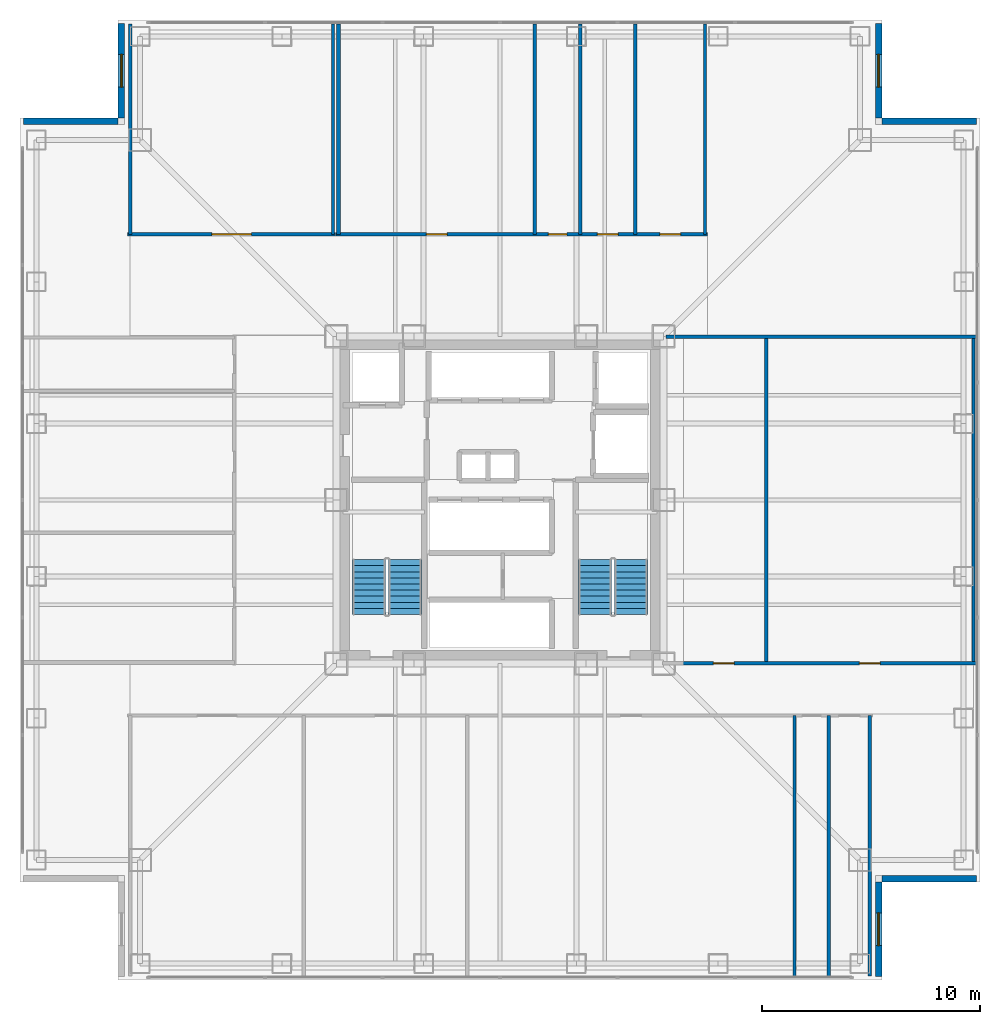
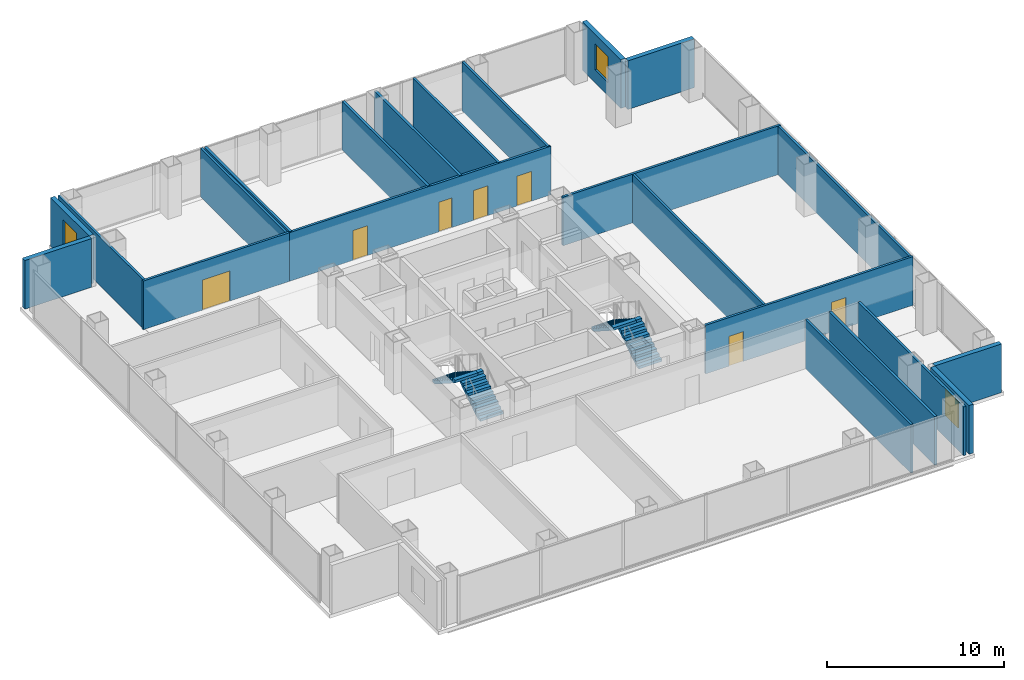
# One storey, part 11 of 14: 22 walls, 7 doors, 4 stair flights, 3 windows, 10 openings, 2 elements without a shape of their own.
"""IFC4 building model written with IfcOpenShell, lengths in metres."""

from ifc_helpers import new_model, si_unit, direction, frame, frame_2d, origin, place, context, subcontext, project, spatial, polyline, rectangle, outline, extrude, material, layer, layer_set, type_object, element, fill, aggregate, save


model = new_model("IFC4")

# Units and contexts
model_context = context("Model", 3, precision=1e-05, world=origin(), true_north=direction((0.0, 1.0)))
body_context = subcontext(model_context, "Body", "Model", "MODEL_VIEW")
ifc_project = project(units=[si_unit("LENGTHUNIT", "METRE"), si_unit("AREAUNIT", "SQUARE_METRE"), si_unit("VOLUMEUNIT", "CUBIC_METRE"), si_unit("PLANEANGLEUNIT", "RADIAN"), si_unit("MASSUNIT", "GRAM", prefix="KILO")], contexts=[model_context])

# Site, building, storey
site_placement = place(None, origin())
site = spatial("IfcSite", under=ifc_project, at=site_placement, CompositionType="ELEMENT")
building_placement = place(site_placement, origin())
building = spatial("IfcBuilding", under=site, at=building_placement, Name="Trevonay Congress Spire", CompositionType="ELEMENT")
storey_placement = place(building_placement, frame((0.0, 0.0, 97.60009765625)))
storey = spatial("IfcBuildingStorey", under=building, at=storey_placement, Name="L24", CompositionType="ELEMENT", Elevation=97.60009765625)

# Wall, opening, door
ifc_material_1 = material(Name="Concrete C40/50", Category="concrete")
ifc_layer_1 = layer(ifc_material_1, 0.14990234375, Name="Concrete C40/50")
ifc_layer_set_1 = layer_set([ifc_layer_1], Name="Concrete C40/50")
wall_type_1 = type_object("IfcWallType", Name="WAL-CORR-150", PredefinedType="PARTITIONING", material=ifc_layer_set_1)
wall_1_placement = place(storey_placement, frame((-17.070068359375, 12.179931640625, 0.0), z_axis=(0.0, 0.0, 1.0), x_axis=(1.0, 0.0, 0.0)))
wall_1 = element("IfcWall", 1, at=wall_1_placement, inside=storey, type_object=wall_type_1, Name="L24 interior wall WP-L24NW-COR", PredefinedType="PARTITIONING", context=body_context, shape_type="SweptSolid", body=[
    extrude(rectangle(XDim=9.5400390625, YDim=0.14990234375, at=frame_2d((4.77001953125, 0.0))), origin(), (0.0, 0.0, 1.0), 3.35986328125),
])
opening_1_placement = place(wall_1_placement, frame((3.8701171875, 0.0, 0.0)))
opening_1 = element("IfcOpeningElement", 2, at=opening_1_placement, cuts=wall_1, Name="Opening D09", PredefinedType="OPENING", context=body_context, shape_type="SweptSolid", body=[
    extrude(rectangle(XDim=1.800048828125, YDim=2.080078125, at=frame_2d((0.89990234375, 1.0400390625))), frame((0.0, 0.0849609375, 0.0), z_axis=(0.0, -1.0, 0.0), x_axis=(1.0, 0.0, 0.0)), (0.0, 0.0, 1.0), 0.169921875),
])
ifc_material_2 = material(Name="Pale Anodised Aluminium EN AW-6063-T6", Category="aluminium")
door_type_1 = type_object("IfcDoorType", Name="DOR-CONF-DBL", OperationType="DOUBLE_DOOR_SINGLE_SWING", PredefinedType="DOOR", material=ifc_material_2)
door_1_placement = place(opening_1_placement, origin())
door_1 = element("IfcDoor", 3, at=door_1_placement, inside=storey, type_object=door_type_1, Name="L24 Treaty Seminar Salon North-West Door", OperationType="DOUBLE_DOOR_SINGLE_SWING", OverallHeight=2.080078125, OverallWidth=1.800048828125, PredefinedType="DOOR", context=body_context, shape_type="SweptSolid", body=[
    extrude(rectangle(XDim=1.800048828125, YDim=2.080078125, at=frame_2d((0.89990234375, 1.0400390625))), frame((0.0, 0.02490234375, 0.0), z_axis=(0.0, -1.0, 0.0), x_axis=(1.0, 0.0, 0.0)), (0.0, 0.0, 1.0), 0.050048828125),
])
fill(opening_1, door_1)

# Wall, openings, doors
wall_2_placement = place(storey_placement, frame((-7.52001953125, 12.179931640625, 0.0), z_axis=(0.0, 0.0, 1.0), x_axis=(1.0, 0.0, 0.0)))
wall_2 = element("IfcWall", 4, at=wall_2_placement, inside=storey, type_object=wall_type_1, Name="L24 interior wall WP-L24NE-COR", PredefinedType="PARTITIONING", context=body_context, shape_type="SweptSolid", body=[
    extrude(rectangle(XDim=17.0400390625, YDim=0.14990234375, at=frame_2d((8.52001953125, 0.0))), origin(), (0.0, 0.0, 1.0), 3.35986328125),
])
opening_2_placement = place(wall_2_placement, frame((4.14501953125, 0.0, 0.0)))
opening_2 = element("IfcOpeningElement", 5, at=opening_2_placement, cuts=wall_2, Name="Opening D07", PredefinedType="OPENING", context=body_context, shape_type="SweptSolid", body=[
    extrude(rectangle(XDim=0.949951171875, YDim=2.06005859375, at=frame_2d((0.47509765625, 1.030029296875))), frame((0.0, 0.0849609375, 0.0), z_axis=(0.0, -1.0, 0.0), x_axis=(1.0, 0.0, 0.0)), (0.0, 0.0, 1.0), 0.169921875),
])
opening_3_placement = place(wall_2_placement, frame((9.735107421875, 0.0, 0.0)))
opening_3 = element("IfcOpeningElement", 6, at=opening_3_placement, cuts=wall_2, Name="Opening D10", PredefinedType="OPENING", context=body_context, shape_type="SweptSolid", body=[
    extrude(rectangle(XDim=0.85009765625, YDim=2.050048828125, at=frame_2d((0.425048828125, 1.02490234375))), frame((0.0, 0.0849609375, 0.0), z_axis=(0.0, -1.0, 0.0), x_axis=(1.0, 0.0, 0.0)), (0.0, 0.0, 1.0), 0.169921875),
])
opening_4_placement = place(wall_2_placement, frame((11.985107421875, 0.0, 0.0)))
opening_4 = element("IfcOpeningElement", 7, at=opening_4_placement, cuts=wall_2, Name="Opening D07", PredefinedType="OPENING", context=body_context, shape_type="SweptSolid", body=[
    extrude(rectangle(XDim=0.949951171875, YDim=2.06005859375, at=frame_2d((0.47509765625, 1.030029296875))), frame((0.0, 0.0849609375, 0.0), z_axis=(0.0, -1.0, 0.0), x_axis=(1.0, 0.0, 0.0)), (0.0, 0.0, 1.0), 0.169921875),
])
opening_5_placement = place(wall_2_placement, frame((14.844970703125, 0.0, 0.0)))
opening_5 = element("IfcOpeningElement", 8, at=opening_5_placement, cuts=wall_2, Name="Opening D07", PredefinedType="OPENING", context=body_context, shape_type="SweptSolid", body=[
    extrude(rectangle(XDim=0.949951171875, YDim=2.06005859375, at=frame_2d((0.47509765625, 1.030029296875))), frame((0.0, 0.0849609375, 0.0), z_axis=(0.0, -1.0, 0.0), x_axis=(1.0, 0.0, 0.0)), (0.0, 0.0, 1.0), 0.169921875),
])
door_type_2 = type_object("IfcDoorType", Name="DOR-OFFICE-95", OperationType="NOTDEFINED", PredefinedType="DOOR", material=ifc_material_2)
door_2_placement = place(opening_2_placement, origin())
door_2 = element("IfcDoor", 9, at=door_2_placement, inside=storey, type_object=door_type_2, Name="L24 North-East Policy Research Studio Door", OperationType="SINGLE_SWING_RIGHT", OverallHeight=2.06005859375, OverallWidth=0.949951171875, PredefinedType="DOOR", context=body_context, shape_type="SweptSolid", body=[
    extrude(rectangle(XDim=0.949951171875, YDim=2.06005859375, at=frame_2d((0.47509765625, 1.030029296875))), frame((0.0, 0.02490234375, 0.0), z_axis=(0.0, -1.0, 0.0), x_axis=(1.0, 0.0, 0.0)), (0.0, 0.0, 1.0), 0.050048828125),
])
fill(opening_2, door_2)
door_3_placement = place(opening_4_placement, origin())
door_3 = element("IfcDoor", 10, at=door_3_placement, inside=storey, type_object=door_type_2, Name="L24 Floor Supplies and Copy Room Door", OperationType="SINGLE_SWING_RIGHT", OverallHeight=2.06005859375, OverallWidth=0.949951171875, PredefinedType="DOOR", context=body_context, shape_type="SweptSolid", body=[
    extrude(rectangle(XDim=0.949951171875, YDim=2.06005859375, at=frame_2d((0.47509765625, 1.030029296875))), frame((0.0, 0.02490234375, 0.0), z_axis=(0.0, -1.0, 0.0), x_axis=(1.0, 0.0, 0.0)), (0.0, 0.0, 1.0), 0.050048828125),
])
fill(opening_4, door_3)
door_4_placement = place(opening_5_placement, origin())
door_4 = element("IfcDoor", 11, at=door_4_placement, inside=storey, type_object=door_type_2, Name="L24 Tea Pantry Door", OperationType="SINGLE_SWING_LEFT", OverallHeight=2.06005859375, OverallWidth=0.949951171875, PredefinedType="DOOR", context=body_context, shape_type="SweptSolid", body=[
    extrude(rectangle(XDim=0.949951171875, YDim=2.06005859375, at=frame_2d((0.47509765625, 1.030029296875))), frame((0.0, 0.02490234375, 0.0), z_axis=(0.0, -1.0, 0.0), x_axis=(1.0, 0.0, 0.0)), (0.0, 0.0, 1.0), 0.050048828125),
])
fill(opening_5, door_4)
door_type_3 = type_object("IfcDoorType", Name="DOR-WC-85", OperationType="NOTDEFINED", PredefinedType="DOOR", material=ifc_material_2)
door_5_placement = place(opening_3_placement, origin())
door_5 = element("IfcDoor", 12, at=door_5_placement, inside=storey, type_object=door_type_3, Name="L24 Female Restroom WC Door", OperationType="SINGLE_SWING_LEFT", OverallHeight=2.050048828125, OverallWidth=0.85009765625, PredefinedType="DOOR", context=body_context, shape_type="SweptSolid", body=[
    extrude(rectangle(XDim=0.85009765625, YDim=2.050048828125, at=frame_2d((0.425048828125, 1.02490234375))), frame((0.0, 0.02490234375, 0.0), z_axis=(0.0, -1.0, 0.0), x_axis=(1.0, 0.0, 0.0)), (0.0, 0.0, 1.0), 0.050048828125),
])
fill(opening_3, door_5)

wall_3_placement = place(storey_placement, frame((8.280029296875, -7.47998046875, 0.0), z_axis=(0.0, 0.0, 1.0), x_axis=(1.0, 0.0, 0.0)))
wall_3 = element("IfcWall", 13, at=wall_3_placement, inside=storey, type_object=wall_type_1, Name="L24 interior wall WP-L24E-COR", PredefinedType="PARTITIONING", context=body_context, shape_type="SweptSolid", body=[
    extrude(rectangle(XDim=13.5400390625, YDim=0.14990234375, at=frame_2d((6.77001953125, 0.0))), origin(), (0.0, 0.0, 1.0), 3.35986328125),
])
opening_6_placement = place(wall_3_placement, frame((1.5048828125, 0.0, 0.0)))
opening_6 = element("IfcOpeningElement", 14, at=opening_6_placement, cuts=wall_3, Name="Opening D07", PredefinedType="OPENING", context=body_context, shape_type="SweptSolid", body=[
    extrude(rectangle(XDim=0.949951171875, YDim=2.06005859375, at=frame_2d((0.47509765625, 1.030029296875))), frame((0.0, 0.0849609375, 0.0), z_axis=(0.0, -1.0, 0.0), x_axis=(1.0, 0.0, 0.0)), (0.0, 0.0, 1.0), 0.169921875),
])
opening_7_placement = place(wall_3_placement, frame((8.195068359375, 0.0, 0.0)))
opening_7 = element("IfcOpeningElement", 15, at=opening_7_placement, cuts=wall_3, Name="Opening D07", PredefinedType="OPENING", context=body_context, shape_type="SweptSolid", body=[
    extrude(rectangle(XDim=0.949951171875, YDim=2.06005859375, at=frame_2d((0.47509765625, 1.030029296875))), frame((0.0, 0.0849609375, 0.0), z_axis=(0.0, -1.0, 0.0), x_axis=(1.0, 0.0, 0.0)), (0.0, 0.0, 1.0), 0.169921875),
])
door_6_placement = place(opening_6_placement, origin())
door_6 = element("IfcDoor", 16, at=door_6_placement, inside=storey, type_object=door_type_2, Name="L24 East Diplomatic Briefing Room Door", OperationType="SINGLE_SWING_RIGHT", OverallHeight=2.06005859375, OverallWidth=0.949951171875, PredefinedType="DOOR", context=body_context, shape_type="SweptSolid", body=[
    extrude(rectangle(XDim=0.949951171875, YDim=2.06005859375, at=frame_2d((0.47509765625, 1.030029296875))), frame((0.0, 0.02490234375, 0.0), z_axis=(0.0, -1.0, 0.0), x_axis=(1.0, 0.0, 0.0)), (0.0, 0.0, 1.0), 0.050048828125),
])
fill(opening_6, door_6)
door_7_placement = place(opening_7_placement, origin())
door_7 = element("IfcDoor", 17, at=door_7_placement, inside=storey, type_object=door_type_2, Name="L24 Document Print Office Door", OperationType="SINGLE_SWING_LEFT", OverallHeight=2.06005859375, OverallWidth=0.949951171875, PredefinedType="DOOR", context=body_context, shape_type="SweptSolid", body=[
    extrude(rectangle(XDim=0.949951171875, YDim=2.06005859375, at=frame_2d((0.47509765625, 1.030029296875))), frame((0.0, 0.02490234375, 0.0), z_axis=(0.0, -1.0, 0.0), x_axis=(1.0, 0.0, 0.0)), (0.0, 0.0, 1.0), 0.050048828125),
])
fill(opening_7, door_7)

# Wall, opening, window
ifc_material_3 = material(Name="Precast concrete C40/50", Category="concrete")
ifc_layer_2 = layer(ifc_material_3, 0.300048828125, Name="Precast concrete C40/50")
ifc_layer_set_2 = layer_set([ifc_layer_2], Name="Precast concrete C40/50")
wall_type_2 = type_object("IfcWallType", Name="WAL-EXT-PRECAST-300", PredefinedType="SOLIDWALL", material=ifc_layer_set_2)
wall_4_placement = place(storey_placement, frame((17.35009765625, -21.85009765625, 0.0), z_axis=(0.0, 0.0, 1.0), x_axis=(0.0, 1.0, 0.0)))
wall_4 = element("IfcWall", 18, at=wall_4_placement, inside=storey, type_object=wall_type_2, Name="L24 SE re-entrant notch exterior wall 1", PredefinedType="SOLIDWALL", context=body_context, shape_type="SweptSolid", body=[
    extrude(rectangle(XDim=4.35009765625, YDim=0.300048828125, at=frame_2d((2.175048828125, 0.0))), origin(), (0.0, 0.0, 1.0), 3.35986328125),
])
opening_8_placement = place(wall_4_placement, frame((1.425048828125, 0.0, 0.89990234375)))
opening_8 = element("IfcOpeningElement", 19, at=opening_8_placement, cuts=wall_4, Name="Opening WN03", PredefinedType="OPENING", context=body_context, shape_type="SweptSolid", body=[
    extrude(rectangle(XDim=1.5, YDim=1.800048828125, at=frame_2d((0.75, 0.89990234375))), frame((0.0, 0.16015625, 0.0), z_axis=(0.0, -1.0, 0.0), x_axis=(1.0, 0.0, 0.0)), (0.0, 0.0, 1.0), 0.320068359375),
])
ifc_material_4 = material(Name="Insulated Low-E Vision Glass IGU", Category="glass")
window_type = type_object("IfcWindowType", Name="WIN-NOTCH-150X180", PartitioningType="SINGLE_PANEL", PredefinedType="WINDOW", material=ifc_material_4)
window_1_placement = place(opening_8_placement, origin())
window_1 = element("IfcWindow", 20, at=window_1_placement, inside=storey, type_object=window_type, Name="L24 SE corner notch window", OverallHeight=1.800048828125, OverallWidth=1.5, PartitioningType="SINGLE_PANEL", PredefinedType="WINDOW", context=body_context, shape_type="SweptSolid", body=[
    extrude(rectangle(XDim=1.5, YDim=1.800048828125, at=frame_2d((0.75, 0.89990234375))), frame((0.0, 0.030029296875, 0.0), z_axis=(0.0, -1.0, 0.0), x_axis=(1.0, 0.0, 0.0)), (0.0, 0.0, 1.0), 0.06005859375),
])
fill(opening_8, window_1)

# Wall
wall_5_placement = place(storey_placement, frame((21.85009765625, -17.35009765625, 0.0), z_axis=(0.0, 0.0, 1.0), x_axis=(-1.0, 0.0, 0.0)))
element("IfcWall", 21, at=wall_5_placement, inside=storey, type_object=wall_type_2, Name="L24 SE re-entrant notch exterior wall 2", PredefinedType="SOLIDWALL", context=body_context, shape_type="SweptSolid", body=[
    extrude(rectangle(XDim=4.35009765625, YDim=0.300048828125, at=frame_2d((2.175048828125, 0.0))), origin(), (0.0, 0.0, 1.0), 3.35986328125),
])

# Wall, opening, window
wall_6_placement = place(storey_placement, frame((17.35009765625, 21.85009765625, 0.0), z_axis=(0.0, 0.0, 1.0), x_axis=(0.0, -1.0, 0.0)))
wall_6 = element("IfcWall", 22, at=wall_6_placement, inside=storey, type_object=wall_type_2, Name="L24 NE re-entrant notch exterior wall 1", PredefinedType="SOLIDWALL", context=body_context, shape_type="SweptSolid", body=[
    extrude(rectangle(XDim=4.35009765625, YDim=0.300048828125, at=frame_2d((2.175048828125, 0.0))), origin(), (0.0, 0.0, 1.0), 3.35986328125),
])
opening_9_placement = place(wall_6_placement, frame((1.425048828125, 0.0, 0.89990234375)))
opening_9 = element("IfcOpeningElement", 23, at=opening_9_placement, cuts=wall_6, Name="Opening WN03", PredefinedType="OPENING", context=body_context, shape_type="SweptSolid", body=[
    extrude(rectangle(XDim=1.5, YDim=1.800048828125, at=frame_2d((0.75, 0.89990234375))), frame((0.0, 0.16015625, 0.0), z_axis=(0.0, -1.0, 0.0), x_axis=(1.0, 0.0, 0.0)), (0.0, 0.0, 1.0), 0.320068359375),
])
window_2_placement = place(opening_9_placement, origin())
window_2 = element("IfcWindow", 24, at=window_2_placement, inside=storey, type_object=window_type, Name="L24 NE corner notch window", OverallHeight=1.800048828125, OverallWidth=1.5, PartitioningType="SINGLE_PANEL", PredefinedType="WINDOW", context=body_context, shape_type="SweptSolid", body=[
    extrude(rectangle(XDim=1.5, YDim=1.800048828125, at=frame_2d((0.75, 0.89990234375))), frame((0.0, 0.030029296875, 0.0), z_axis=(0.0, -1.0, 0.0), x_axis=(1.0, 0.0, 0.0)), (0.0, 0.0, 1.0), 0.06005859375),
])
fill(opening_9, window_2)

# Wall
wall_7_placement = place(storey_placement, frame((21.85009765625, 17.35009765625, 0.0), z_axis=(0.0, 0.0, 1.0), x_axis=(-1.0, 0.0, 0.0)))
element("IfcWall", 25, at=wall_7_placement, inside=storey, type_object=wall_type_2, Name="L24 NE re-entrant notch exterior wall 2", PredefinedType="SOLIDWALL", context=body_context, shape_type="SweptSolid", body=[
    extrude(rectangle(XDim=4.35009765625, YDim=0.300048828125, at=frame_2d((2.175048828125, 0.0))), origin(), (0.0, 0.0, 1.0), 3.35986328125),
])

# Wall, opening, window
wall_8_placement = place(storey_placement, frame((-17.35009765625, 21.85009765625, 0.0), z_axis=(0.0, 0.0, 1.0), x_axis=(0.0, -1.0, 0.0)))
wall_8 = element("IfcWall", 26, at=wall_8_placement, inside=storey, type_object=wall_type_2, Name="L24 NW re-entrant notch exterior wall 1", PredefinedType="SOLIDWALL", context=body_context, shape_type="SweptSolid", body=[
    extrude(rectangle(XDim=4.35009765625, YDim=0.300048828125, at=frame_2d((2.175048828125, 0.0))), origin(), (0.0, 0.0, 1.0), 3.35986328125),
])
opening_10_placement = place(wall_8_placement, frame((1.425048828125, 0.0, 0.89990234375)))
opening_10 = element("IfcOpeningElement", 27, at=opening_10_placement, cuts=wall_8, Name="Opening WN03", PredefinedType="OPENING", context=body_context, shape_type="SweptSolid", body=[
    extrude(rectangle(XDim=1.5, YDim=1.800048828125, at=frame_2d((0.75, 0.89990234375))), frame((0.0, 0.16015625, 0.0), z_axis=(0.0, -1.0, 0.0), x_axis=(1.0, 0.0, 0.0)), (0.0, 0.0, 1.0), 0.320068359375),
])
window_3_placement = place(opening_10_placement, origin())
window_3 = element("IfcWindow", 28, at=window_3_placement, inside=storey, type_object=window_type, Name="L24 NW corner notch window", OverallHeight=1.800048828125, OverallWidth=1.5, PartitioningType="SINGLE_PANEL", PredefinedType="WINDOW", context=body_context, shape_type="SweptSolid", body=[
    extrude(rectangle(XDim=1.5, YDim=1.800048828125, at=frame_2d((0.75, 0.89990234375))), frame((0.0, 0.030029296875, 0.0), z_axis=(0.0, -1.0, 0.0), x_axis=(1.0, 0.0, 0.0)), (0.0, 0.0, 1.0), 0.06005859375),
])
fill(opening_10, window_3)

# Walls
wall_9_placement = place(storey_placement, frame((-21.85009765625, 17.35009765625, 0.0), z_axis=(0.0, 0.0, 1.0), x_axis=(1.0, 0.0, 0.0)))
element("IfcWall", 29, at=wall_9_placement, inside=storey, type_object=wall_type_2, Name="L24 NW re-entrant notch exterior wall 2", PredefinedType="SOLIDWALL", context=body_context, shape_type="SweptSolid", body=[
    extrude(rectangle(XDim=4.35009765625, YDim=0.300048828125, at=frame_2d((2.175048828125, 0.0))), origin(), (0.0, 0.0, 1.0), 3.35986328125),
])
ifc_layer_3 = layer(ifc_material_1, 0.14990234375, Name="Concrete C40/50")
ifc_layer_set_3 = layer_set([ifc_layer_3], Name="Concrete C40/50")
wall_type_3 = type_object("IfcWallType", Name="WAL-PART-150", PredefinedType="PARTITIONING", material=ifc_layer_set_3)
for number, where, z_axis, x_axis, name in (
    (30, (13.5, -21.820068359375, 0.0), (0.0, 0.0, 1.0), (0.0, 1.0, 0.0), "L24 interior wall WP-L24S-DIV4"),
    (31, (16.949951171875, -21.820068359375, 0.0), (0.0, 0.0, 1.0), (0.0, 1.0, 0.0), "L24 interior wall WP-L24S-DIV5"),
):
    element("IfcWall", number, at=place(storey_placement, frame(where, z_axis=z_axis, x_axis=x_axis)), inside=storey, type_object=wall_type_3, Name=name, PredefinedType="PARTITIONING", context=body_context, shape_type="SweptSolid", body=[
        extrude(rectangle(XDim=11.940185546875, YDim=0.14990234375, at=frame_2d((5.97021484375, 0.0))), origin(), (0.0, 0.0, 1.0), 3.35986328125),
    ])
for number, where, z_axis, x_axis, name in (
    (32, (-16.949951171875, 12.179931640625, 0.0), (0.0, 0.0, 1.0), (0.0, 1.0, 0.0), "L24 interior wall WP-L24NW-DIV1"),
    (33, (-7.64990234375, 12.179931640625, 0.0), (0.0, 0.0, 1.0), (0.0, 1.0, 0.0), "L24 interior wall WP-L24NW-DIV2"),
    (34, (6.199951171875, 12.179931640625, 0.0), (0.0, 0.0, 1.0), (0.0, 1.0, 0.0), "L24 interior wall WP-L24NE-DIV3"),
    (35, (9.39990234375, 12.179931640625, 0.0), (0.0, 0.0, 1.0), (0.0, 1.0, 0.0), "L24 interior wall WP-L24NE-DIV4"),
):
    element("IfcWall", number, at=place(storey_placement, frame(where, z_axis=z_axis, x_axis=x_axis)), inside=storey, type_object=wall_type_3, Name=name, PredefinedType="PARTITIONING", context=body_context, shape_type="SweptSolid", body=[
        extrude(rectangle(XDim=9.64013671875, YDim=0.14990234375, at=frame_2d((4.820068359375, 0.0))), origin(), (0.0, 0.0, 1.0), 3.35986328125),
    ])
for number, where, z_axis, x_axis, name in (
    (36, (12.199951171875, -7.47998046875, 0.0), (0.0, 0.0, 1.0), (0.0, 1.0, 0.0), "L24 interior wall WP-L24E-DIV1"),
    (37, (21.699951171875, -7.47998046875, 0.0), (0.0, 0.0, 1.0), (0.0, 1.0, 0.0), "L24 interior wall WP-L24E-DIV2"),
):
    element("IfcWall", number, at=place(storey_placement, frame(where, z_axis=z_axis, x_axis=x_axis)), inside=storey, type_object=wall_type_3, Name=name, PredefinedType="PARTITIONING", context=body_context, shape_type="SweptSolid", body=[
        extrude(rectangle(XDim=14.8798828125, YDim=0.14990234375, at=frame_2d((7.43994140625, 0.0))), origin(), (0.0, 0.0, 1.0), 3.35986328125),
    ])
wall_10_placement = place(storey_placement, frame((7.60009765625, 7.47998046875, 0.0), z_axis=(0.0, 0.0, 1.0), x_axis=(1.0, 0.0, 0.0)))
element("IfcWall", 38, at=wall_10_placement, inside=storey, type_object=wall_type_3, Name="L24 interior wall WP-L24E-NCLS", PredefinedType="PARTITIONING", context=body_context, shape_type="SweptSolid", body=[
    extrude(rectangle(XDim=14.219970703125, YDim=0.14990234375, at=frame_2d((7.10986328125, 0.0))), origin(), (0.0, 0.0, 1.0), 3.35986328125),
])
ifc_layer_4 = layer(ifc_material_1, 0.1650390625, Name="Concrete C40/50")
ifc_layer_set_4 = layer_set([ifc_layer_4], Name="Concrete C40/50")
wall_type_4 = type_object("IfcWallType", Name="WAL-WET-165", PredefinedType="PLUMBINGWALL", material=ifc_layer_set_4)
wall_11_placement = place(storey_placement, frame((15.06005859375, -21.820068359375, 0.0), z_axis=(0.0, 0.0, 1.0), x_axis=(0.0, 1.0, 0.0)))
element("IfcWall", 39, at=wall_11_placement, inside=storey, type_object=wall_type_4, Name="L24 interior wall WP-L24S-WCS4", PredefinedType="PLUMBINGWALL", context=body_context, shape_type="SweptSolid", body=[
    extrude(rectangle(XDim=11.940185546875, YDim=0.1650390625, at=frame_2d((5.97021484375, 0.0))), origin(), (0.0, 0.0, 1.0), 3.35986328125),
])
for number, where, z_axis, x_axis, name in (
    (40, (3.679931640625, 12.179931640625, 0.0), (0.0, 0.0, 1.0), (0.0, 1.0, 0.0), "L24 interior wall WP-L24NE-WCS2"),
    (41, (-7.39990234375, 12.179931640625, 0.0), (0.0, 0.0, 1.0), (0.0, 1.0, 0.0), "L24 interior wall WP-L24NE-DIV1"),
    (42, (1.60009765625, 12.179931640625, 0.0), (0.0, 0.0, 1.0), (0.0, 1.0, 0.0), "L24 interior wall WP-L24NE-DIV2"),
):
    element("IfcWall", number, at=place(storey_placement, frame(where, z_axis=z_axis, x_axis=x_axis)), inside=storey, type_object=wall_type_4, Name=name, PredefinedType="PLUMBINGWALL", context=body_context, shape_type="SweptSolid", body=[
        extrude(rectangle(XDim=9.64013671875, YDim=0.1650390625, at=frame_2d((4.820068359375, 0.0))), origin(), (0.0, 0.0, 1.0), 3.35986328125),
    ])

# Stair, stair flights
stair_type_1 = type_object("IfcStairType", Name="STR-ST-1", PredefinedType="HALF_TURN_STAIR", material=ifc_material_1)
stair_1_placement = place(storey_placement, origin())
stair_1 = element("IfcStair", 43, at=stair_1_placement, inside=storey, type_object=stair_type_1, Name="L24 Protected Exit Stair ST-1", PredefinedType="HALF_TURN_STAIR")
stair_flight_type_1 = type_object("IfcStairFlightType", Name="SFL-ST-1", PredefinedType="STRAIGHT", material=ifc_material_1)
stair_flight_1_placement = place(storey_placement, frame((-4.35009765625, -5.25, 0.0), z_axis=(0.0, 0.0, 1.0), x_axis=(0.0, 1.0, 0.0)))
stair_flight_1 = element("IfcStairFlight", 44, at=stair_flight_1_placement, type_object=stair_flight_type_1, Name="ST-1 flight 1", NumberOfRisers=10, NumberOfTreads=9, PredefinedType="STRAIGHT", RiserHeight=0.18, TreadLength=0.28, context=body_context, shape_type="SweptSolid", body=[
    extrude(outline(polyline([(0.0, 0.0), (0.0, 0.179931640625), (0.280029296875, 0.179931640625), (0.280029296875, 0.360107421875), (0.56005859375, 0.360107421875), (0.56005859375, 0.5400390625), (0.840087890625, 0.5400390625), (0.840087890625, 0.719970703125), (1.1201171875, 0.719970703125), (1.1201171875, 0.89990234375), (1.39990234375, 0.89990234375), (1.39990234375, 1.080078125), (1.679931640625, 1.080078125), (1.679931640625, 1.260009765625), (1.9599609375, 1.260009765625), (1.9599609375, 1.43994140625), (2.239990234375, 1.43994140625), (2.239990234375, 1.6201171875), (2.52001953125, 1.6201171875), (2.52001953125, 1.800048828125), (2.52001953125, 1.44189453125), (0.277099609375, 0.0), (0.0, 0.0)])), frame((0.0, 0.75, 0.0), z_axis=(0.0, -1.0, 0.0), x_axis=(1.0, 0.0, 0.0)), (0.0, 0.0, 1.0), 1.5),
])
stair_flight_2_placement = place(storey_placement, frame((-6.0, -2.72998046875, 1.7998046875), z_axis=(0.0, 0.0, 1.0), x_axis=(0.0, -1.0, 0.0)))
stair_flight_2 = element("IfcStairFlight", 45, at=stair_flight_2_placement, type_object=stair_flight_type_1, Name="ST-1 flight 2", NumberOfRisers=10, NumberOfTreads=9, PredefinedType="STRAIGHT", RiserHeight=0.18, TreadLength=0.28, context=body_context, shape_type="SweptSolid", body=[
    extrude(outline(polyline([(0.0, 0.0), (0.0, 0.179931640625), (0.280029296875, 0.179931640625), (0.280029296875, 0.360107421875), (0.56005859375, 0.360107421875), (0.56005859375, 0.5400390625), (0.840087890625, 0.5400390625), (0.840087890625, 0.719970703125), (1.1201171875, 0.719970703125), (1.1201171875, 0.89990234375), (1.39990234375, 0.89990234375), (1.39990234375, 1.080078125), (1.679931640625, 1.080078125), (1.679931640625, 1.260009765625), (1.9599609375, 1.260009765625), (1.9599609375, 1.43994140625), (2.239990234375, 1.43994140625), (2.239990234375, 1.6201171875), (2.52001953125, 1.6201171875), (2.52001953125, 1.800048828125), (2.52001953125, 1.44189453125), (0.277099609375, 0.0), (0.0, 0.0)])), frame((0.0, 0.75, 0.0), z_axis=(0.0, -1.0, 0.0), x_axis=(1.0, 0.0, 0.0)), (0.0, 0.0, 1.0), 1.5),
])
aggregate(stair_1, [stair_flight_1, stair_flight_2])

stair_type_2 = type_object("IfcStairType", Name="STR-ST-2", PredefinedType="HALF_TURN_STAIR", material=ifc_material_1)
stair_2_placement = place(storey_placement, origin())
stair_2 = element("IfcStair", 46, at=stair_2_placement, inside=storey, type_object=stair_type_2, Name="L24 Protected Exit Stair ST-2", PredefinedType="HALF_TURN_STAIR")
stair_flight_type_2 = type_object("IfcStairFlightType", Name="SFL-ST-2", PredefinedType="STRAIGHT", material=ifc_material_1)
stair_flight_3_placement = place(storey_placement, frame((6.0, -5.25, 0.0), z_axis=(0.0, 0.0, 1.0), x_axis=(0.0, 1.0, 0.0)))
stair_flight_3 = element("IfcStairFlight", 47, at=stair_flight_3_placement, type_object=stair_flight_type_2, Name="ST-2 flight 1", NumberOfRisers=10, NumberOfTreads=9, PredefinedType="STRAIGHT", RiserHeight=0.18, TreadLength=0.28, context=body_context, shape_type="SweptSolid", body=[
    extrude(outline(polyline([(0.0, 0.0), (0.0, 0.179931640625), (0.280029296875, 0.179931640625), (0.280029296875, 0.360107421875), (0.56005859375, 0.360107421875), (0.56005859375, 0.5400390625), (0.840087890625, 0.5400390625), (0.840087890625, 0.719970703125), (1.1201171875, 0.719970703125), (1.1201171875, 0.89990234375), (1.39990234375, 0.89990234375), (1.39990234375, 1.080078125), (1.679931640625, 1.080078125), (1.679931640625, 1.260009765625), (1.9599609375, 1.260009765625), (1.9599609375, 1.43994140625), (2.239990234375, 1.43994140625), (2.239990234375, 1.6201171875), (2.52001953125, 1.6201171875), (2.52001953125, 1.800048828125), (2.52001953125, 1.44189453125), (0.277099609375, 0.0), (0.0, 0.0)])), frame((0.0, 0.75, 0.0), z_axis=(0.0, -1.0, 0.0), x_axis=(1.0, 0.0, 0.0)), (0.0, 0.0, 1.0), 1.5),
])
stair_flight_4_placement = place(storey_placement, frame((4.35009765625, -2.72998046875, 1.7998046875), z_axis=(0.0, 0.0, 1.0), x_axis=(0.0, -1.0, 0.0)))
stair_flight_4 = element("IfcStairFlight", 48, at=stair_flight_4_placement, type_object=stair_flight_type_2, Name="ST-2 flight 2", NumberOfRisers=10, NumberOfTreads=9, PredefinedType="STRAIGHT", RiserHeight=0.18, TreadLength=0.28, context=body_context, shape_type="SweptSolid", body=[
    extrude(outline(polyline([(0.0, 0.0), (0.0, 0.179931640625), (0.280029296875, 0.179931640625), (0.280029296875, 0.360107421875), (0.56005859375, 0.360107421875), (0.56005859375, 0.5400390625), (0.840087890625, 0.5400390625), (0.840087890625, 0.719970703125), (1.1201171875, 0.719970703125), (1.1201171875, 0.89990234375), (1.39990234375, 0.89990234375), (1.39990234375, 1.080078125), (1.679931640625, 1.080078125), (1.679931640625, 1.260009765625), (1.9599609375, 1.260009765625), (1.9599609375, 1.43994140625), (2.239990234375, 1.43994140625), (2.239990234375, 1.6201171875), (2.52001953125, 1.6201171875), (2.52001953125, 1.800048828125), (2.52001953125, 1.44189453125), (0.277099609375, 0.0), (0.0, 0.0)])), frame((0.0, 0.75, 0.0), z_axis=(0.0, -1.0, 0.0), x_axis=(1.0, 0.0, 0.0)), (0.0, 0.0, 1.0), 1.5),
])
aggregate(stair_2, [stair_flight_3, stair_flight_4])

save(model, "model.ifc")
